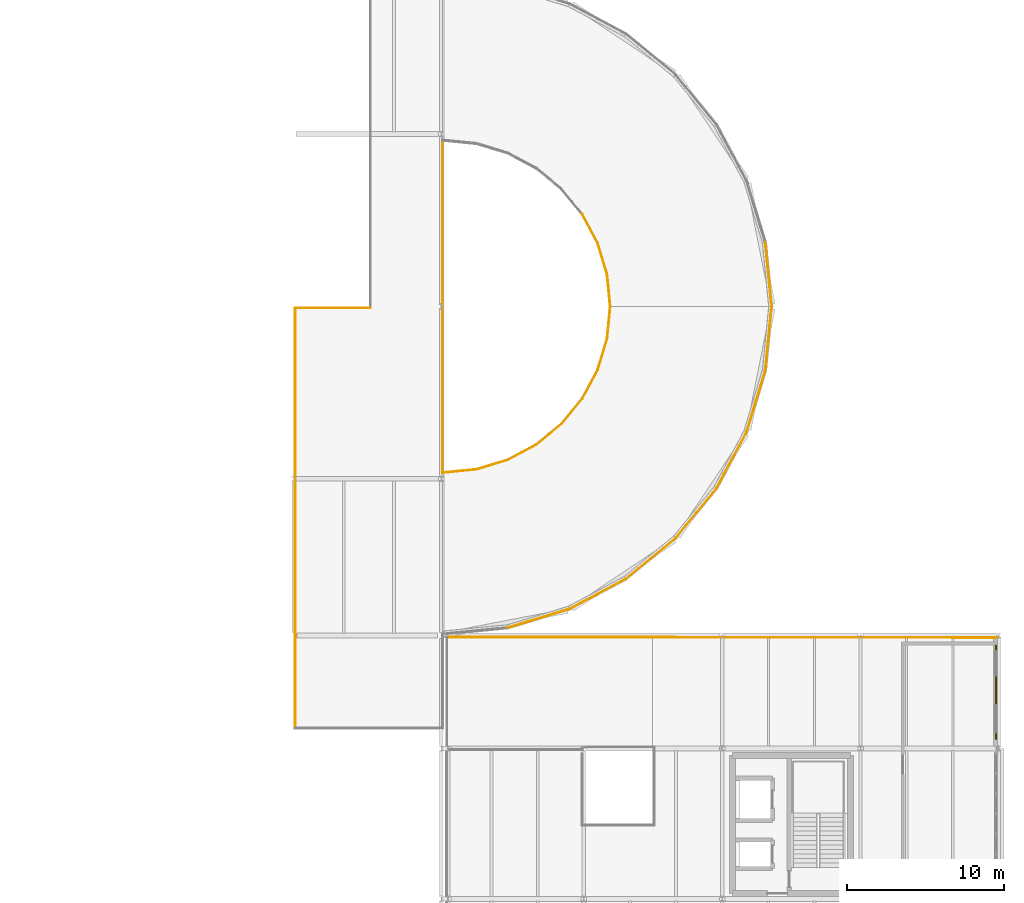
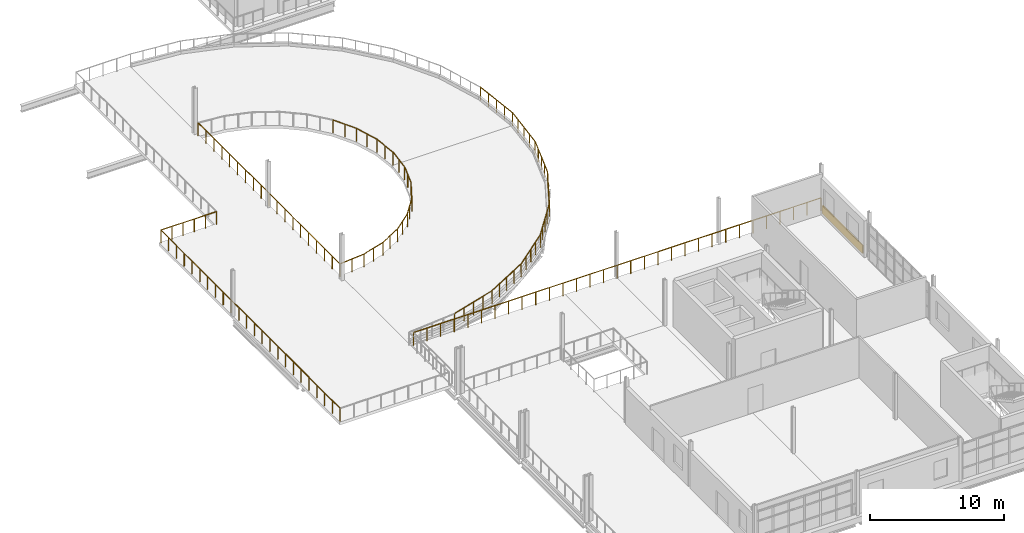
# One storey, part 57 of 58: 23 railings, 1 covering.
"""IFC4 building model written with IfcOpenShell, lengths in metres."""

from ifc_helpers import new_model, si_unit, direction, frame, origin, origin_2d, place, context, subcontext, project, spatial, rectangle, circle, extrude, material, layer, layer_set, type_object, element, save


model = new_model("IFC4")

# Units and contexts
model_context = context("Model", 3, precision=1e-05, world=origin(), true_north=direction((0.0, 1.0)))
body_context = subcontext(model_context, "Body", "Model", "MODEL_VIEW")
ifc_project = project(units=[si_unit("LENGTHUNIT", "METRE"), si_unit("AREAUNIT", "SQUARE_METRE"), si_unit("VOLUMEUNIT", "CUBIC_METRE"), si_unit("PLANEANGLEUNIT", "RADIAN"), si_unit("MASSUNIT", "GRAM", prefix="KILO")], contexts=[model_context])

# Site, building, storey
site_placement = place(None, origin())
site = spatial("IfcSite", under=ifc_project, at=site_placement, CompositionType="ELEMENT")
building_placement = place(site_placement, origin())
building = spatial("IfcBuilding", under=site, at=building_placement, Name="Yeouljin Market Hall", CompositionType="ELEMENT")
storey_placement = place(building_placement, frame((0.0, 0.0, 10.800048828125)))
storey = spatial("IfcBuildingStorey", under=building, at=storey_placement, Name="L02", CompositionType="ELEMENT", Elevation=10.800048828125)

# Covering
ifc_material_1 = material(Name="Clinker Brick Masonry F2-S2", Category="masonry")
ifc_layer = layer(ifc_material_1, 0.090087890625)
ifc_layer_set = layer_set([ifc_layer], Name="Clinker Brick Masonry F2-S2")
covering_type = type_object("IfcCoveringType", Name="Covering_Brick_FacadeCladding", PredefinedType="CLADDING", material=ifc_layer_set)
covering_placement = place(storey_placement, frame((176.199951171875, 32.39990234375, 0.074951171875), z_axis=(0.0, 0.0, 1.0), x_axis=(0.0, -1.0, 0.0)))
element("IfcCovering", 1, at=covering_placement, inside=storey, type_object=covering_type, Name="Muizentand clinker brick spandrel band L02-11", PredefinedType="CLADDING", context=body_context, shape_type="SweptSolid", body=[
    extrude(rectangle(XDim=6.0, YDim=0.090087890625, at=origin_2d()), origin(), (0.0, 0.0, 1.0), 0.75),
])

# Railings
ifc_material_2 = material(Name="Wrought Iron and Bronze Gallery Balustrade")
railing_type = type_object("IfcRailingType", Name="Railing_AtriumBalustrade_1200", PredefinedType="BALUSTRADE", material=ifc_material_2)
railing_1_placement = place(storey_placement, frame((141.179931640625, 35.89990234375, 0.0)))
element("IfcRailing", 2, at=railing_1_placement, inside=storey, type_object=railing_type, Name="Gallery & deck edge balustrade L02-159", PredefinedType="BALUSTRADE", context=body_context, shape_type="SweptSolid", body=[
    extrude(circle(Radius=0.02392578125, at=origin_2d()), frame((0.0, 0.0, 1.17578125), z_axis=(0.999999585351, -0.000910657799, 0.0), x_axis=(0.000910657799, 0.999999585351, 0.0)), (0.0, 0.0, 1.0), 35.1201171875),
    extrude(circle(Radius=0.02099609375, at=origin_2d()), origin(), (0.0, 0.0, 1.0), 1.15185546875),
    extrude(circle(Radius=0.02099609375, at=origin_2d()), frame((1.170654296875, -0.0009765625, 0.0)), (0.0, 0.0, 1.0), 1.15185546875),
    extrude(circle(Radius=0.02099609375, at=origin_2d()), frame((2.34130859375, -0.002197265625, 0.0)), (0.0, 0.0, 1.0), 1.15185546875),
    extrude(circle(Radius=0.02099609375, at=origin_2d()), frame((3.511962890625, -0.003173828125, 0.0)), (0.0, 0.0, 1.0), 1.15185546875),
    extrude(circle(Radius=0.02099609375, at=origin_2d()), frame((4.6826171875, -0.004150390625, 0.0)), (0.0, 0.0, 1.0), 1.15185546875),
    extrude(circle(Radius=0.02099609375, at=origin_2d()), frame((5.853271484375, -0.00537109375, 0.0)), (0.0, 0.0, 1.0), 1.15185546875),
    extrude(circle(Radius=0.02099609375, at=origin_2d()), frame((7.02392578125, -0.00634765625, 0.0)), (0.0, 0.0, 1.0), 1.15185546875),
    extrude(circle(Radius=0.02099609375, at=origin_2d()), frame((8.194580078125, -0.007568359375, 0.0)), (0.0, 0.0, 1.0), 1.15185546875),
    extrude(circle(Radius=0.02099609375, at=origin_2d()), frame((9.365478515625, -0.008544921875, 0.0)), (0.0, 0.0, 1.0), 1.15185546875),
    extrude(circle(Radius=0.02099609375, at=origin_2d()), frame((10.5361328125, -0.009521484375, 0.0)), (0.0, 0.0, 1.0), 1.15185546875),
    extrude(circle(Radius=0.02099609375, at=origin_2d()), frame((11.706787109375, -0.0107421875, 0.0)), (0.0, 0.0, 1.0), 1.15185546875),
    extrude(circle(Radius=0.02099609375, at=origin_2d()), frame((12.87744140625, -0.01171875, 0.0)), (0.0, 0.0, 1.0), 1.15185546875),
    extrude(circle(Radius=0.02099609375, at=origin_2d()), frame((14.048095703125, -0.0126953125, 0.0)), (0.0, 0.0, 1.0), 1.15185546875),
    extrude(circle(Radius=0.02099609375, at=origin_2d()), frame((15.21875, -0.013916015625, 0.0)), (0.0, 0.0, 1.0), 1.15185546875),
    extrude(circle(Radius=0.02099609375, at=origin_2d()), frame((16.389404296875, -0.014892578125, 0.0)), (0.0, 0.0, 1.0), 1.15185546875),
    extrude(circle(Radius=0.02099609375, at=origin_2d()), frame((17.56005859375, -0.01611328125, 0.0)), (0.0, 0.0, 1.0), 1.15185546875),
    extrude(circle(Radius=0.02099609375, at=origin_2d()), frame((18.730712890625, -0.01708984375, 0.0)), (0.0, 0.0, 1.0), 1.15185546875),
    extrude(circle(Radius=0.02099609375, at=origin_2d()), frame((19.9013671875, -0.01806640625, 0.0)), (0.0, 0.0, 1.0), 1.15185546875),
    extrude(circle(Radius=0.02099609375, at=origin_2d()), frame((21.072021484375, -0.019287109375, 0.0)), (0.0, 0.0, 1.0), 1.15185546875),
    extrude(circle(Radius=0.02099609375, at=origin_2d()), frame((22.24267578125, -0.020263671875, 0.0)), (0.0, 0.0, 1.0), 1.15185546875),
    extrude(circle(Radius=0.02099609375, at=origin_2d()), frame((23.413330078125, -0.021240234375, 0.0)), (0.0, 0.0, 1.0), 1.15185546875),
    extrude(circle(Radius=0.02099609375, at=origin_2d()), frame((24.583984375, -0.0224609375, 0.0)), (0.0, 0.0, 1.0), 1.15185546875),
    extrude(circle(Radius=0.02099609375, at=origin_2d()), frame((25.754638671875, -0.0234375, 0.0)), (0.0, 0.0, 1.0), 1.15185546875),
    extrude(circle(Radius=0.02099609375, at=origin_2d()), frame((26.925537109375, -0.0244140625, 0.0)), (0.0, 0.0, 1.0), 1.15185546875),
    extrude(circle(Radius=0.02099609375, at=origin_2d()), frame((28.09619140625, -0.025634765625, 0.0)), (0.0, 0.0, 1.0), 1.15185546875),
    extrude(circle(Radius=0.02099609375, at=origin_2d()), frame((29.266845703125, -0.026611328125, 0.0)), (0.0, 0.0, 1.0), 1.15185546875),
    extrude(circle(Radius=0.02099609375, at=origin_2d()), frame((30.4375, -0.02783203125, 0.0)), (0.0, 0.0, 1.0), 1.15185546875),
    extrude(circle(Radius=0.02099609375, at=origin_2d()), frame((31.608154296875, -0.02880859375, 0.0)), (0.0, 0.0, 1.0), 1.15185546875),
    extrude(circle(Radius=0.02099609375, at=origin_2d()), frame((32.77880859375, -0.02978515625, 0.0)), (0.0, 0.0, 1.0), 1.15185546875),
    extrude(circle(Radius=0.02099609375, at=origin_2d()), frame((33.949462890625, -0.031005859375, 0.0)), (0.0, 0.0, 1.0), 1.15185546875),
    extrude(circle(Radius=0.02099609375, at=origin_2d()), frame((35.1201171875, -0.031982421875, 0.0)), (0.0, 0.0, 1.0), 1.15185546875),
])
railing_2_placement = place(storey_placement, frame((158.37744140625, 45.388916015625, 0.0)))
element("IfcRailing", 3, at=railing_2_placement, inside=storey, type_object=railing_type, Name="Gallery & deck edge balustrade L02-167", PredefinedType="BALUSTRADE", context=body_context, shape_type="SweptSolid", body=[
    extrude(circle(Radius=0.02392578125, at=origin_2d()), frame((0.0, 0.0, 1.17578125), z_axis=(-0.634434399082, -0.772976709391, 0.0), x_axis=(0.772976709391, -0.634434399082, 0.0)), (0.0, 0.0, 1.0), 4.09716796875),
    extrude(circle(Radius=0.02099609375, at=origin_2d()), origin(), (0.0, 0.0, 1.0), 1.15185546875),
    extrude(circle(Radius=0.02099609375, at=origin_2d()), frame((-0.64990234375, -0.791748046875, 0.0)), (0.0, 0.0, 1.0), 1.15185546875),
    extrude(circle(Radius=0.02099609375, at=origin_2d()), frame((-1.2998046875, -1.58349609375, 0.0)), (0.0, 0.0, 1.0), 1.15185546875),
    extrude(circle(Radius=0.02099609375, at=origin_2d()), frame((-1.949462890625, -2.375244140625, 0.0)), (0.0, 0.0, 1.0), 1.15185546875),
    extrude(circle(Radius=0.02099609375, at=origin_2d()), frame((-2.599365234375, -3.1669921875, 0.0)), (0.0, 0.0, 1.0), 1.15185546875),
])
railing_3_placement = place(storey_placement, frame((155.778076171875, 42.221923828125, 0.0)))
element("IfcRailing", 4, at=railing_3_placement, inside=storey, type_object=railing_type, Name="Gallery & deck edge balustrade L02-168", PredefinedType="BALUSTRADE", context=body_context, shape_type="SweptSolid", body=[
    extrude(circle(Radius=0.02392578125, at=origin_2d()), frame((0.0, 0.0, 1.17578125), z_axis=(-0.772976709391, -0.634434399082, 0.0), x_axis=(0.634434399082, -0.772976709391, 0.0)), (0.0, 0.0, 1.0), 4.09716796875),
    extrude(circle(Radius=0.02099609375, at=origin_2d()), origin(), (0.0, 0.0, 1.0), 1.15185546875),
    extrude(circle(Radius=0.02099609375, at=origin_2d()), frame((-0.791748046875, -0.64990234375, 0.0)), (0.0, 0.0, 1.0), 1.15185546875),
    extrude(circle(Radius=0.02099609375, at=origin_2d()), frame((-1.58349609375, -1.2998046875, 0.0)), (0.0, 0.0, 1.0), 1.15185546875),
    extrude(circle(Radius=0.02099609375, at=origin_2d()), frame((-2.375244140625, -1.949462890625, 0.0)), (0.0, 0.0, 1.0), 1.15185546875),
    extrude(circle(Radius=0.02099609375, at=origin_2d()), frame((-3.1669921875, -2.599365234375, 0.0)), (0.0, 0.0, 1.0), 1.15185546875),
])
railing_4_placement = place(storey_placement, frame((152.611083984375, 39.62255859375, 0.0)))
element("IfcRailing", 5, at=railing_4_placement, inside=storey, type_object=railing_type, Name="Gallery & deck edge balustrade L02-169", PredefinedType="BALUSTRADE", context=body_context, shape_type="SweptSolid", body=[
    extrude(circle(Radius=0.02392578125, at=origin_2d()), frame((0.0, 0.0, 1.17578125), z_axis=(-0.881940210989, -0.471361288441, 0.0), x_axis=(0.471361288441, -0.881940210989, 0.0)), (0.0, 0.0, 1.0), 4.096923828125),
    extrude(circle(Radius=0.02099609375, at=origin_2d()), origin(), (0.0, 0.0, 1.0), 1.15185546875),
    extrude(circle(Radius=0.02099609375, at=origin_2d()), frame((-0.9033203125, -0.48291015625, 0.0)), (0.0, 0.0, 1.0), 1.15185546875),
    extrude(circle(Radius=0.02099609375, at=origin_2d()), frame((-1.806640625, -0.965576171875, 0.0)), (0.0, 0.0, 1.0), 1.15185546875),
    extrude(circle(Radius=0.02099609375, at=origin_2d()), frame((-2.7099609375, -1.4482421875, 0.0)), (0.0, 0.0, 1.0), 1.15185546875),
    extrude(circle(Radius=0.02099609375, at=origin_2d()), frame((-3.61328125, -1.93115234375, 0.0)), (0.0, 0.0, 1.0), 1.15185546875),
])
railing_5_placement = place(storey_placement, frame((148.997802734375, 37.69140625, 0.0)))
element("IfcRailing", 6, at=railing_5_placement, inside=storey, type_object=railing_type, Name="Gallery & deck edge balustrade L02-170", PredefinedType="BALUSTRADE", context=body_context, shape_type="SweptSolid", body=[
    extrude(circle(Radius=0.02392578125, at=origin_2d()), frame((0.0, 0.0, 1.17578125), z_axis=(-0.956942670569, -0.290276980218, 0.0), x_axis=(0.290276980218, -0.956942670569, 0.0)), (0.0, 0.0, 1.0), 4.096923828125),
    extrude(circle(Radius=0.02099609375, at=origin_2d()), origin(), (0.0, 0.0, 1.0), 1.15185546875),
    extrude(circle(Radius=0.02099609375, at=origin_2d()), frame((-0.97998046875, -0.29736328125, 0.0)), (0.0, 0.0, 1.0), 1.15185546875),
    extrude(circle(Radius=0.02099609375, at=origin_2d()), frame((-1.960205078125, -0.5947265625, 0.0)), (0.0, 0.0, 1.0), 1.15185546875),
    extrude(circle(Radius=0.02099609375, at=origin_2d()), frame((-2.9404296875, -0.891845703125, 0.0)), (0.0, 0.0, 1.0), 1.15185546875),
    extrude(circle(Radius=0.02099609375, at=origin_2d()), frame((-3.92041015625, -1.189208984375, 0.0)), (0.0, 0.0, 1.0), 1.15185546875),
])
railing_6_placement = place(storey_placement, frame((131.5, 30.10009765625, 0.0)))
element("IfcRailing", 7, at=railing_6_placement, inside=storey, type_object=railing_type, Name="Gallery & deck edge balustrade L02-174", PredefinedType="BALUSTRADE", context=body_context, shape_type="SweptSolid", body=[
    extrude(circle(Radius=0.02392578125, at=origin_2d()), frame((0.0, 0.0, 1.17578125), z_axis=(0.0, 1.0, 0.0), x_axis=(-1.0, 0.0, 0.0)), (0.0, 0.0, 1.0), 26.7998046875),
    extrude(circle(Radius=0.02099609375, at=origin_2d()), origin(), (0.0, 0.0, 1.0), 1.15185546875),
    extrude(circle(Radius=0.02099609375, at=origin_2d()), frame((0.0, 1.165283203125, 0.0)), (0.0, 0.0, 1.0), 1.15185546875),
    extrude(circle(Radius=0.02099609375, at=origin_2d()), frame((0.0, 2.330322265625, 0.0)), (0.0, 0.0, 1.0), 1.15185546875),
    extrude(circle(Radius=0.02099609375, at=origin_2d()), frame((0.0, 3.49560546875, 0.0)), (0.0, 0.0, 1.0), 1.15185546875),
    extrude(circle(Radius=0.02099609375, at=origin_2d()), frame((0.0, 4.660888671875, 0.0)), (0.0, 0.0, 1.0), 1.15185546875),
    extrude(circle(Radius=0.02099609375, at=origin_2d()), frame((0.0, 5.825927734375, 0.0)), (0.0, 0.0, 1.0), 1.15185546875),
    extrude(circle(Radius=0.02099609375, at=origin_2d()), frame((0.0, 6.9912109375, 0.0)), (0.0, 0.0, 1.0), 1.15185546875),
    extrude(circle(Radius=0.02099609375, at=origin_2d()), frame((0.0, 8.156494140625, 0.0)), (0.0, 0.0, 1.0), 1.15185546875),
    extrude(circle(Radius=0.02099609375, at=origin_2d()), frame((0.0, 9.32177734375, 0.0)), (0.0, 0.0, 1.0), 1.15185546875),
    extrude(circle(Radius=0.02099609375, at=origin_2d()), frame((0.0, 10.48681640625, 0.0)), (0.0, 0.0, 1.0), 1.15185546875),
    extrude(circle(Radius=0.02099609375, at=origin_2d()), frame((0.0, 11.652099609375, 0.0)), (0.0, 0.0, 1.0), 1.15185546875),
    extrude(circle(Radius=0.02099609375, at=origin_2d()), frame((0.0, 12.8173828125, 0.0)), (0.0, 0.0, 1.0), 1.15185546875),
    extrude(circle(Radius=0.02099609375, at=origin_2d()), frame((0.0, 13.982421875, 0.0)), (0.0, 0.0, 1.0), 1.15185546875),
    extrude(circle(Radius=0.02099609375, at=origin_2d()), frame((0.0, 15.147705078125, 0.0)), (0.0, 0.0, 1.0), 1.15185546875),
    extrude(circle(Radius=0.02099609375, at=origin_2d()), frame((0.0, 16.31298828125, 0.0)), (0.0, 0.0, 1.0), 1.15185546875),
    extrude(circle(Radius=0.02099609375, at=origin_2d()), frame((0.0, 17.47802734375, 0.0)), (0.0, 0.0, 1.0), 1.15185546875),
    extrude(circle(Radius=0.02099609375, at=origin_2d()), frame((0.0, 18.643310546875, 0.0)), (0.0, 0.0, 1.0), 1.15185546875),
    extrude(circle(Radius=0.02099609375, at=origin_2d()), frame((0.0, 19.80859375, 0.0)), (0.0, 0.0, 1.0), 1.15185546875),
    extrude(circle(Radius=0.02099609375, at=origin_2d()), frame((0.0, 20.973876953125, 0.0)), (0.0, 0.0, 1.0), 1.15185546875),
    extrude(circle(Radius=0.02099609375, at=origin_2d()), frame((0.0, 22.138916015625, 0.0)), (0.0, 0.0, 1.0), 1.15185546875),
    extrude(circle(Radius=0.02099609375, at=origin_2d()), frame((0.0, 23.30419921875, 0.0)), (0.0, 0.0, 1.0), 1.15185546875),
    extrude(circle(Radius=0.02099609375, at=origin_2d()), frame((0.0, 24.469482421875, 0.0)), (0.0, 0.0, 1.0), 1.15185546875),
    extrude(circle(Radius=0.02099609375, at=origin_2d()), frame((0.0, 25.634521484375, 0.0)), (0.0, 0.0, 1.0), 1.15185546875),
    extrude(circle(Radius=0.02099609375, at=origin_2d()), frame((0.0, 26.7998046875, 0.0)), (0.0, 0.0, 1.0), 1.15185546875),
])
railing_7_placement = place(storey_placement, frame((131.5, 56.89990234375, 0.0)))
element("IfcRailing", 8, at=railing_7_placement, inside=storey, type_object=railing_type, Name="Gallery & deck edge balustrade L02-175", PredefinedType="BALUSTRADE", context=body_context, shape_type="SweptSolid", body=[
    extrude(circle(Radius=0.02392578125, at=origin_2d()), frame((0.0, 0.0, 1.17578125), z_axis=(1.0, 0.0, 0.0), x_axis=(0.0, 1.0, 0.0)), (0.0, 0.0, 1.0), 4.800048828125),
    extrude(circle(Radius=0.02099609375, at=origin_2d()), origin(), (0.0, 0.0, 1.0), 1.15185546875),
    extrude(circle(Radius=0.02099609375, at=origin_2d()), frame((0.9599609375, 0.0, 0.0)), (0.0, 0.0, 1.0), 1.15185546875),
    extrude(circle(Radius=0.02099609375, at=origin_2d()), frame((1.919921875, 0.0, 0.0)), (0.0, 0.0, 1.0), 1.15185546875),
    extrude(circle(Radius=0.02099609375, at=origin_2d()), frame((2.880126953125, 0.0, 0.0)), (0.0, 0.0, 1.0), 1.15185546875),
    extrude(circle(Radius=0.02099609375, at=origin_2d()), frame((3.840087890625, 0.0, 0.0)), (0.0, 0.0, 1.0), 1.15185546875),
    extrude(circle(Radius=0.02099609375, at=origin_2d()), frame((4.800048828125, 0.0, 0.0)), (0.0, 0.0, 1.0), 1.15185546875),
])
railing_8_placement = place(storey_placement, frame((161.497802734375, 61.077392578125, 0.0)))
element("IfcRailing", 9, at=railing_8_placement, inside=storey, type_object=railing_type, Name="Gallery & deck edge balustrade L02-185", PredefinedType="BALUSTRADE", context=body_context, shape_type="SweptSolid", body=[
    extrude(circle(Radius=0.02392578125, at=origin_2d()), frame((0.0, 0.0, 1.17578125), z_axis=(0.098022751111, -0.995184174043, 0.0), x_axis=(0.995184174043, 0.098022751111, 0.0)), (0.0, 0.0, 1.0), 4.09716796875),
    extrude(circle(Radius=0.02099609375, at=origin_2d()), origin(), (0.0, 0.0, 1.0), 1.15185546875),
    extrude(circle(Radius=0.02099609375, at=origin_2d()), frame((0.100341796875, -1.019287109375, 0.0)), (0.0, 0.0, 1.0), 1.15185546875),
    extrude(circle(Radius=0.02099609375, at=origin_2d()), frame((0.20068359375, -2.03857421875, 0.0)), (0.0, 0.0, 1.0), 1.15185546875),
    extrude(circle(Radius=0.02099609375, at=origin_2d()), frame((0.30126953125, -3.05810546875, 0.0)), (0.0, 0.0, 1.0), 1.15185546875),
    extrude(circle(Radius=0.02099609375, at=origin_2d()), frame((0.401611328125, -4.077392578125, 0.0)), (0.0, 0.0, 1.0), 1.15185546875),
])
railing_9_placement = place(storey_placement, frame((161.8994140625, 57.0, 0.0)))
element("IfcRailing", 10, at=railing_9_placement, inside=storey, type_object=railing_type, Name="Gallery & deck edge balustrade L02-186", PredefinedType="BALUSTRADE", context=body_context, shape_type="SweptSolid", body=[
    extrude(circle(Radius=0.02392578125, at=origin_2d()), frame((0.0, 0.0, 1.17578125), z_axis=(-0.098022751111, -0.995184174043, 0.0), x_axis=(0.995184174043, -0.098022751111, 0.0)), (0.0, 0.0, 1.0), 4.09716796875),
    extrude(circle(Radius=0.02099609375, at=origin_2d()), origin(), (0.0, 0.0, 1.0), 1.15185546875),
    extrude(circle(Radius=0.02099609375, at=origin_2d()), frame((-0.100341796875, -1.019287109375, 0.0)), (0.0, 0.0, 1.0), 1.15185546875),
    extrude(circle(Radius=0.02099609375, at=origin_2d()), frame((-0.20068359375, -2.03857421875, 0.0)), (0.0, 0.0, 1.0), 1.15185546875),
    extrude(circle(Radius=0.02099609375, at=origin_2d()), frame((-0.30126953125, -3.05810546875, 0.0)), (0.0, 0.0, 1.0), 1.15185546875),
    extrude(circle(Radius=0.02099609375, at=origin_2d()), frame((-0.401611328125, -4.077392578125, 0.0)), (0.0, 0.0, 1.0), 1.15185546875),
])
railing_10_placement = place(storey_placement, frame((161.497802734375, 52.922607421875, 0.0)))
element("IfcRailing", 11, at=railing_10_placement, inside=storey, type_object=railing_type, Name="Gallery & deck edge balustrade L02-187", PredefinedType="BALUSTRADE", context=body_context, shape_type="SweptSolid", body=[
    extrude(circle(Radius=0.02392578125, at=origin_2d()), frame((0.0, 0.0, 1.17578125), z_axis=(-0.290276980218, -0.956942670569, 0.0), x_axis=(0.956942670569, -0.290276980218, 0.0)), (0.0, 0.0, 1.0), 4.096923828125),
    extrude(circle(Radius=0.02099609375, at=origin_2d()), origin(), (0.0, 0.0, 1.0), 1.15185546875),
    extrude(circle(Radius=0.02099609375, at=origin_2d()), frame((-0.29736328125, -0.97998046875, 0.0)), (0.0, 0.0, 1.0), 1.15185546875),
    extrude(circle(Radius=0.02099609375, at=origin_2d()), frame((-0.5947265625, -1.960205078125, 0.0)), (0.0, 0.0, 1.0), 1.15185546875),
    extrude(circle(Radius=0.02099609375, at=origin_2d()), frame((-0.891845703125, -2.9404296875, 0.0)), (0.0, 0.0, 1.0), 1.15185546875),
    extrude(circle(Radius=0.02099609375, at=origin_2d()), frame((-1.189208984375, -3.92041015625, 0.0)), (0.0, 0.0, 1.0), 1.15185546875),
])
railing_11_placement = place(storey_placement, frame((160.30859375, 49.002197265625, 0.0)))
element("IfcRailing", 12, at=railing_11_placement, inside=storey, type_object=railing_type, Name="Gallery & deck edge balustrade L02-188", PredefinedType="BALUSTRADE", context=body_context, shape_type="SweptSolid", body=[
    extrude(circle(Radius=0.02392578125, at=origin_2d()), frame((0.0, 0.0, 1.17578125), z_axis=(-0.471361288441, -0.881940210989, 0.0), x_axis=(0.881940210989, -0.471361288441, 0.0)), (0.0, 0.0, 1.0), 4.096923828125),
    extrude(circle(Radius=0.02099609375, at=origin_2d()), origin(), (0.0, 0.0, 1.0), 1.15185546875),
    extrude(circle(Radius=0.02099609375, at=origin_2d()), frame((-0.48291015625, -0.9033203125, 0.0)), (0.0, 0.0, 1.0), 1.15185546875),
    extrude(circle(Radius=0.02099609375, at=origin_2d()), frame((-0.965576171875, -1.806640625, 0.0)), (0.0, 0.0, 1.0), 1.15185546875),
    extrude(circle(Radius=0.02099609375, at=origin_2d()), frame((-1.4482421875, -2.7099609375, 0.0)), (0.0, 0.0, 1.0), 1.15185546875),
    extrude(circle(Radius=0.02099609375, at=origin_2d()), frame((-1.93115234375, -3.61328125, 0.0)), (0.0, 0.0, 1.0), 1.15185546875),
])
railing_12_placement = place(storey_placement, frame((146.889404296875, 48.18603515625, 0.0)))
element("IfcRailing", 13, at=railing_12_placement, inside=storey, type_object=railing_type, Name="Gallery & deck edge balustrade L02-189", PredefinedType="BALUSTRADE", context=body_context, shape_type="SweptSolid", body=[
    extrude(circle(Radius=0.02392578125, at=origin_2d()), frame((0.0, 0.0, 1.17578125), z_axis=(0.772966995347, 0.634446234211, 0.0), x_axis=(-0.634446234211, 0.772966995347, 0.0)), (0.0, 0.0, 1.0), 2.077880859375),
    extrude(circle(Radius=0.02099609375, at=origin_2d()), origin(), (0.0, 0.0, 1.0), 1.15185546875),
    extrude(circle(Radius=0.02099609375, at=origin_2d()), frame((0.80322265625, 0.6591796875, 0.0)), (0.0, 0.0, 1.0), 1.15185546875),
    extrude(circle(Radius=0.02099609375, at=origin_2d()), frame((1.606201171875, 1.318359375, 0.0)), (0.0, 0.0, 1.0), 1.15185546875),
])
railing_13_placement = place(storey_placement, frame((148.49560546875, 49.50439453125, 0.0)))
element("IfcRailing", 14, at=railing_13_placement, inside=storey, type_object=railing_type, Name="Gallery & deck edge balustrade L02-190", PredefinedType="BALUSTRADE", context=body_context, shape_type="SweptSolid", body=[
    extrude(circle(Radius=0.02392578125, at=origin_2d()), frame((0.0, 0.0, 1.17578125), z_axis=(0.634446234211, 0.772966995347, 0.0), x_axis=(-0.772966995347, 0.634446234211, 0.0)), (0.0, 0.0, 1.0), 2.077880859375),
    extrude(circle(Radius=0.02099609375, at=origin_2d()), origin(), (0.0, 0.0, 1.0), 1.15185546875),
    extrude(circle(Radius=0.02099609375, at=origin_2d()), frame((0.6591796875, 0.80322265625, 0.0)), (0.0, 0.0, 1.0), 1.15185546875),
    extrude(circle(Radius=0.02099609375, at=origin_2d()), frame((1.318359375, 1.606201171875, 0.0)), (0.0, 0.0, 1.0), 1.15185546875),
])
railing_14_placement = place(storey_placement, frame((149.81396484375, 51.110595703125, 0.0)))
element("IfcRailing", 15, at=railing_14_placement, inside=storey, type_object=railing_type, Name="Gallery & deck edge balustrade L02-191", PredefinedType="BALUSTRADE", context=body_context, shape_type="SweptSolid", body=[
    extrude(circle(Radius=0.02392578125, at=origin_2d()), frame((0.0, 0.0, 1.17578125), z_axis=(0.471344185302, 0.88194935171, 0.0), x_axis=(-0.88194935171, 0.471344185302, 0.0)), (0.0, 0.0, 1.0), 2.078125),
    extrude(circle(Radius=0.02099609375, at=origin_2d()), origin(), (0.0, 0.0, 1.0), 1.15185546875),
    extrude(circle(Radius=0.02099609375, at=origin_2d()), frame((0.48974609375, 0.91650390625, 0.0)), (0.0, 0.0, 1.0), 1.15185546875),
    extrude(circle(Radius=0.02099609375, at=origin_2d()), frame((0.9794921875, 1.832763671875, 0.0)), (0.0, 0.0, 1.0), 1.15185546875),
])
railing_15_placement = place(storey_placement, frame((150.79345703125, 52.943359375, 0.0)))
element("IfcRailing", 16, at=railing_15_placement, inside=storey, type_object=railing_type, Name="Gallery & deck edge balustrade L02-192", PredefinedType="BALUSTRADE", context=body_context, shape_type="SweptSolid", body=[
    extrude(circle(Radius=0.02392578125, at=origin_2d()), frame((0.0, 0.0, 1.17578125), z_axis=(0.290310633812, 0.956932461512, 0.0), x_axis=(-0.956932461512, 0.290310633812, 0.0)), (0.0, 0.0, 1.0), 2.078125),
    extrude(circle(Radius=0.02099609375, at=origin_2d()), origin(), (0.0, 0.0, 1.0), 1.15185546875),
    extrude(circle(Radius=0.02099609375, at=origin_2d()), frame((0.3017578125, 0.994140625, 0.0)), (0.0, 0.0, 1.0), 1.15185546875),
    extrude(circle(Radius=0.02099609375, at=origin_2d()), frame((0.603271484375, 1.988525390625, 0.0)), (0.0, 0.0, 1.0), 1.15185546875),
])
railing_16_placement = place(storey_placement, frame((151.396728515625, 54.931884765625, 0.0)))
element("IfcRailing", 17, at=railing_16_placement, inside=storey, type_object=railing_type, Name="Gallery & deck edge balustrade L02-193", PredefinedType="BALUSTRADE", context=body_context, shape_type="SweptSolid", body=[
    extrude(circle(Radius=0.02392578125, at=origin_2d()), frame((0.0, 0.0, 1.17578125), z_axis=(0.098096180362, 0.995176938739, 0.0), x_axis=(-0.995176938739, 0.098096180362, 0.0)), (0.0, 0.0, 1.0), 2.078125),
    extrude(circle(Radius=0.02099609375, at=origin_2d()), origin(), (0.0, 0.0, 1.0), 1.15185546875),
    extrude(circle(Radius=0.02099609375, at=origin_2d()), frame((0.10205078125, 1.0341796875, 0.0)), (0.0, 0.0, 1.0), 1.15185546875),
    extrude(circle(Radius=0.02099609375, at=origin_2d()), frame((0.203857421875, 2.068115234375, 0.0)), (0.0, 0.0, 1.0), 1.15185546875),
])
railing_17_placement = place(storey_placement, frame((151.6005859375, 57.0, 0.0)))
element("IfcRailing", 18, at=railing_17_placement, inside=storey, type_object=railing_type, Name="Gallery & deck edge balustrade L02-194", PredefinedType="BALUSTRADE", context=body_context, shape_type="SweptSolid", body=[
    extrude(circle(Radius=0.02392578125, at=origin_2d()), frame((0.0, 0.0, 1.17578125), z_axis=(-0.098096180362, 0.995176938739, 0.0), x_axis=(-0.995176938739, -0.098096180362, 0.0)), (0.0, 0.0, 1.0), 2.078125),
    extrude(circle(Radius=0.02099609375, at=origin_2d()), origin(), (0.0, 0.0, 1.0), 1.15185546875),
    extrude(circle(Radius=0.02099609375, at=origin_2d()), frame((-0.10205078125, 1.0341796875, 0.0)), (0.0, 0.0, 1.0), 1.15185546875),
    extrude(circle(Radius=0.02099609375, at=origin_2d()), frame((-0.203857421875, 2.068115234375, 0.0)), (0.0, 0.0, 1.0), 1.15185546875),
])
railing_18_placement = place(storey_placement, frame((151.396728515625, 59.068115234375, 0.0)))
element("IfcRailing", 19, at=railing_18_placement, inside=storey, type_object=railing_type, Name="Gallery & deck edge balustrade L02-195", PredefinedType="BALUSTRADE", context=body_context, shape_type="SweptSolid", body=[
    extrude(circle(Radius=0.02392578125, at=origin_2d()), frame((0.0, 0.0, 1.17578125), z_axis=(-0.290310633812, 0.956932461512, 0.0), x_axis=(-0.956932461512, -0.290310633812, 0.0)), (0.0, 0.0, 1.0), 2.078125),
    extrude(circle(Radius=0.02099609375, at=origin_2d()), origin(), (0.0, 0.0, 1.0), 1.15185546875),
    extrude(circle(Radius=0.02099609375, at=origin_2d()), frame((-0.3017578125, 0.994140625, 0.0)), (0.0, 0.0, 1.0), 1.15185546875),
    extrude(circle(Radius=0.02099609375, at=origin_2d()), frame((-0.603271484375, 1.988525390625, 0.0)), (0.0, 0.0, 1.0), 1.15185546875),
])
railing_19_placement = place(storey_placement, frame((150.79345703125, 61.056640625, 0.0)))
element("IfcRailing", 20, at=railing_19_placement, inside=storey, type_object=railing_type, Name="Gallery & deck edge balustrade L02-196", PredefinedType="BALUSTRADE", context=body_context, shape_type="SweptSolid", body=[
    extrude(circle(Radius=0.02392578125, at=origin_2d()), frame((0.0, 0.0, 1.17578125), z_axis=(-0.471344185302, 0.88194935171, 0.0), x_axis=(-0.88194935171, -0.471344185302, 0.0)), (0.0, 0.0, 1.0), 2.078125),
    extrude(circle(Radius=0.02099609375, at=origin_2d()), origin(), (0.0, 0.0, 1.0), 1.15185546875),
    extrude(circle(Radius=0.02099609375, at=origin_2d()), frame((-0.48974609375, 0.91650390625, 0.0)), (0.0, 0.0, 1.0), 1.15185546875),
    extrude(circle(Radius=0.02099609375, at=origin_2d()), frame((-0.9794921875, 1.832763671875, 0.0)), (0.0, 0.0, 1.0), 1.15185546875),
])
railing_20_placement = place(storey_placement, frame((140.89990234375, 67.6103515625, 0.0)))
element("IfcRailing", 21, at=railing_20_placement, inside=storey, type_object=railing_type, Name="Gallery & deck edge balustrade L02-202", PredefinedType="BALUSTRADE", context=body_context, shape_type="SweptSolid", body=[
    extrude(circle(Radius=0.02392578125, at=origin_2d()), frame((0.0, 0.0, 1.17578125), z_axis=(0.0, -1.0, 0.0), x_axis=(1.0, 0.0, 0.0)), (0.0, 0.0, 1.0), 21.220703125),
    extrude(circle(Radius=0.02099609375, at=origin_2d()), origin(), (0.0, 0.0, 1.0), 1.15185546875),
    extrude(circle(Radius=0.02099609375, at=origin_2d()), frame((0.0, -1.178955078125, 0.0)), (0.0, 0.0, 1.0), 1.15185546875),
    extrude(circle(Radius=0.02099609375, at=origin_2d()), frame((0.0, -2.35791015625, 0.0)), (0.0, 0.0, 1.0), 1.15185546875),
    extrude(circle(Radius=0.02099609375, at=origin_2d()), frame((0.0, -3.536865234375, 0.0)), (0.0, 0.0, 1.0), 1.15185546875),
    extrude(circle(Radius=0.02099609375, at=origin_2d()), frame((0.0, -4.7158203125, 0.0)), (0.0, 0.0, 1.0), 1.15185546875),
    extrude(circle(Radius=0.02099609375, at=origin_2d()), frame((0.0, -5.89453125, 0.0)), (0.0, 0.0, 1.0), 1.15185546875),
    extrude(circle(Radius=0.02099609375, at=origin_2d()), frame((0.0, -7.073486328125, 0.0)), (0.0, 0.0, 1.0), 1.15185546875),
    extrude(circle(Radius=0.02099609375, at=origin_2d()), frame((0.0, -8.25244140625, 0.0)), (0.0, 0.0, 1.0), 1.15185546875),
    extrude(circle(Radius=0.02099609375, at=origin_2d()), frame((0.0, -9.431396484375, 0.0)), (0.0, 0.0, 1.0), 1.15185546875),
    extrude(circle(Radius=0.02099609375, at=origin_2d()), frame((0.0, -10.6103515625, 0.0)), (0.0, 0.0, 1.0), 1.15185546875),
    extrude(circle(Radius=0.02099609375, at=origin_2d()), frame((0.0, -11.789306640625, 0.0)), (0.0, 0.0, 1.0), 1.15185546875),
    extrude(circle(Radius=0.02099609375, at=origin_2d()), frame((0.0, -12.96826171875, 0.0)), (0.0, 0.0, 1.0), 1.15185546875),
    extrude(circle(Radius=0.02099609375, at=origin_2d()), frame((0.0, -14.147216796875, 0.0)), (0.0, 0.0, 1.0), 1.15185546875),
    extrude(circle(Radius=0.02099609375, at=origin_2d()), frame((0.0, -15.326171875, 0.0)), (0.0, 0.0, 1.0), 1.15185546875),
    extrude(circle(Radius=0.02099609375, at=origin_2d()), frame((0.0, -16.5048828125, 0.0)), (0.0, 0.0, 1.0), 1.15185546875),
    extrude(circle(Radius=0.02099609375, at=origin_2d()), frame((0.0, -17.683837890625, 0.0)), (0.0, 0.0, 1.0), 1.15185546875),
    extrude(circle(Radius=0.02099609375, at=origin_2d()), frame((0.0, -18.86279296875, 0.0)), (0.0, 0.0, 1.0), 1.15185546875),
    extrude(circle(Radius=0.02099609375, at=origin_2d()), frame((0.0, -20.041748046875, 0.0)), (0.0, 0.0, 1.0), 1.15185546875),
    extrude(circle(Radius=0.02099609375, at=origin_2d()), frame((0.0, -21.220703125, 0.0)), (0.0, 0.0, 1.0), 1.15185546875),
])
railing_21_placement = place(storey_placement, frame((140.89990234375, 46.3896484375, 0.0)))
element("IfcRailing", 22, at=railing_21_placement, inside=storey, type_object=railing_type, Name="Gallery & deck edge balustrade L02-203", PredefinedType="BALUSTRADE", context=body_context, shape_type="SweptSolid", body=[
    extrude(circle(Radius=0.02392578125, at=origin_2d()), frame((0.0, 0.0, 1.17578125), z_axis=(0.995181470463, 0.098050195547, 0.0), x_axis=(-0.098050195547, 0.995181470463, 0.0)), (0.0, 0.0, 1.0), 2.1787109375),
    extrude(circle(Radius=0.02099609375, at=origin_2d()), origin(), (0.0, 0.0, 1.0), 1.15185546875),
    extrude(circle(Radius=0.02099609375, at=origin_2d()), frame((1.083984375, 0.10693359375, 0.0)), (0.0, 0.0, 1.0), 1.15185546875),
    extrude(circle(Radius=0.02099609375, at=origin_2d()), frame((2.168212890625, 0.213623046875, 0.0)), (0.0, 0.0, 1.0), 1.15185546875),
])
railing_22_placement = place(storey_placement, frame((143.068115234375, 46.603271484375, 0.0)))
element("IfcRailing", 23, at=railing_22_placement, inside=storey, type_object=railing_type, Name="Gallery & deck edge balustrade L02-204", PredefinedType="BALUSTRADE", context=body_context, shape_type="SweptSolid", body=[
    extrude(circle(Radius=0.02392578125, at=origin_2d()), frame((0.0, 0.0, 1.17578125), z_axis=(0.956932461512, 0.290310633812, 0.0), x_axis=(-0.290310633812, 0.956932461512, 0.0)), (0.0, 0.0, 1.0), 2.078125),
    extrude(circle(Radius=0.02099609375, at=origin_2d()), origin(), (0.0, 0.0, 1.0), 1.15185546875),
    extrude(circle(Radius=0.02099609375, at=origin_2d()), frame((0.994140625, 0.3017578125, 0.0)), (0.0, 0.0, 1.0), 1.15185546875),
    extrude(circle(Radius=0.02099609375, at=origin_2d()), frame((1.988525390625, 0.603271484375, 0.0)), (0.0, 0.0, 1.0), 1.15185546875),
])
railing_23_placement = place(storey_placement, frame((145.056640625, 47.20654296875, 0.0)))
element("IfcRailing", 24, at=railing_23_placement, inside=storey, type_object=railing_type, Name="Gallery & deck edge balustrade L02-205", PredefinedType="BALUSTRADE", context=body_context, shape_type="SweptSolid", body=[
    extrude(circle(Radius=0.02392578125, at=origin_2d()), frame((0.0, 0.0, 1.17578125), z_axis=(0.88194935171, 0.471344185302, 0.0), x_axis=(-0.471344185302, 0.88194935171, 0.0)), (0.0, 0.0, 1.0), 2.078125),
    extrude(circle(Radius=0.02099609375, at=origin_2d()), origin(), (0.0, 0.0, 1.0), 1.15185546875),
    extrude(circle(Radius=0.02099609375, at=origin_2d()), frame((0.91650390625, 0.48974609375, 0.0)), (0.0, 0.0, 1.0), 1.15185546875),
    extrude(circle(Radius=0.02099609375, at=origin_2d()), frame((1.832763671875, 0.9794921875, 0.0)), (0.0, 0.0, 1.0), 1.15185546875),
])

save(model, "model.ifc")
